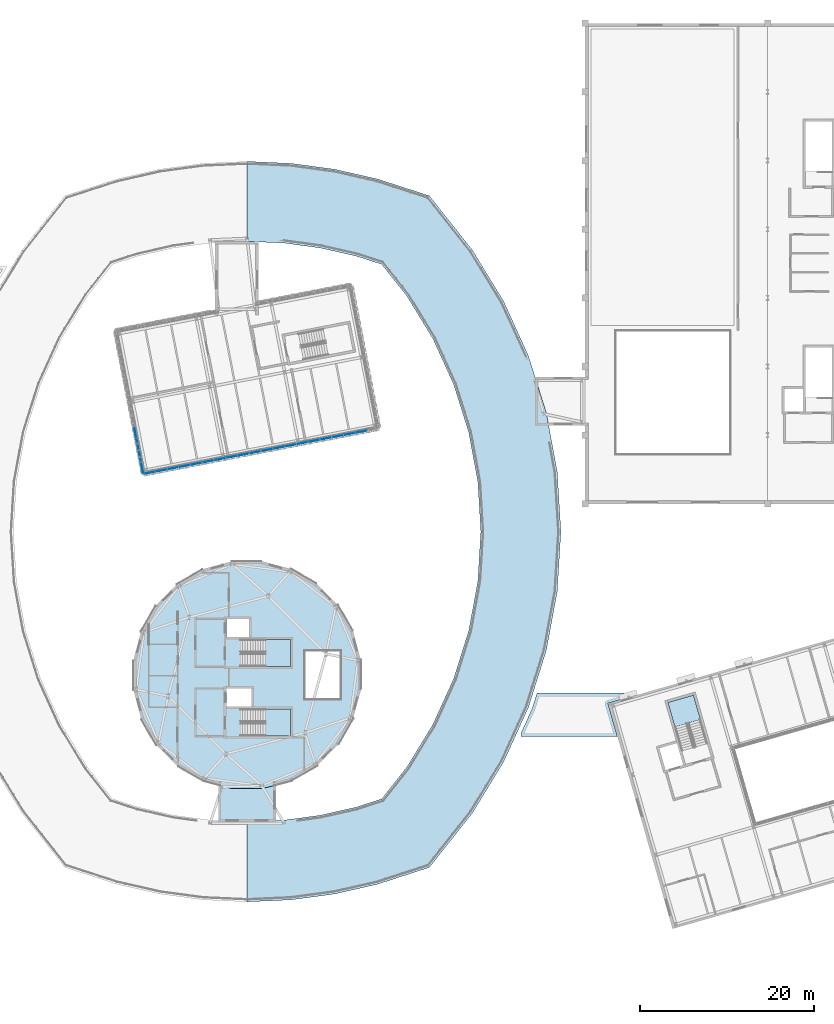
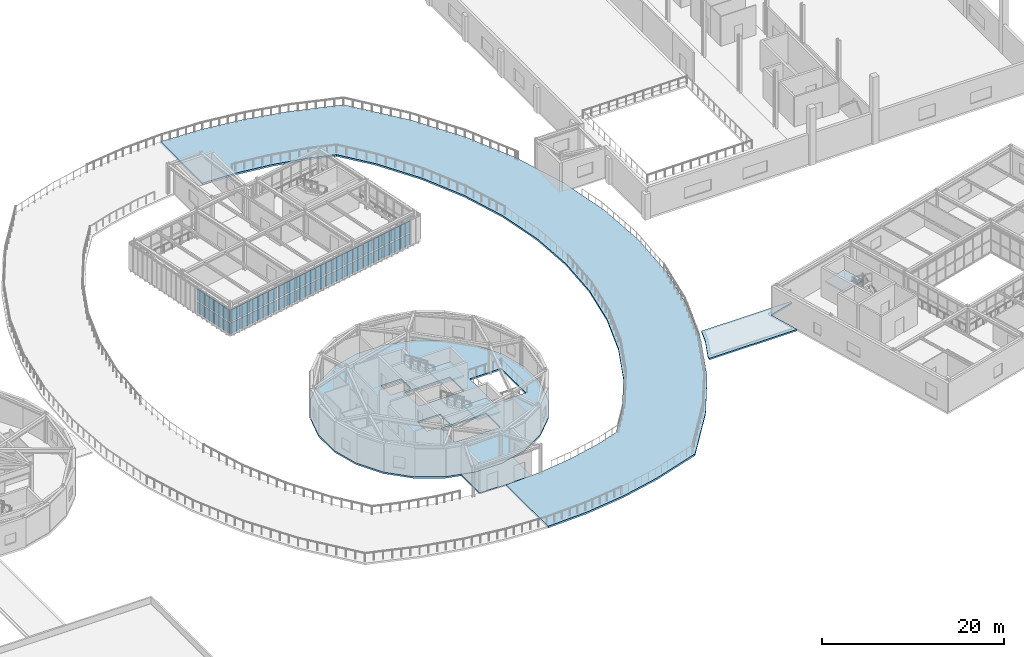
# One storey, part 27 of 59: 46 plates, 7 slabs, 8 elements without a shape of their own.
"""IFC4 building model written with IfcOpenShell, lengths in metres."""

from ifc_helpers import new_model, si_unit, direction, frame, origin, origin_2d, place, context, subcontext, project, spatial, polyline, rectangle, outline, extrude, material, layer, layer_set, type_object, element, aggregate, save


model = new_model("IFC4")

# Units and contexts
model_context = context("Model", 3, precision=1e-05, world=origin(), true_north=direction((0.0, 1.0)))
body_context = subcontext(model_context, "Body", "Model", "MODEL_VIEW")
ifc_project = project(units=[si_unit("LENGTHUNIT", "METRE"), si_unit("AREAUNIT", "SQUARE_METRE"), si_unit("VOLUMEUNIT", "CUBIC_METRE"), si_unit("PLANEANGLEUNIT", "RADIAN"), si_unit("MASSUNIT", "GRAM", prefix="KILO")], contexts=[model_context])

# Site, building, storey
site_placement = place(None, origin())
site = spatial("IfcSite", under=ifc_project, at=site_placement, CompositionType="ELEMENT")
building_placement = place(site_placement, origin())
building = spatial("IfcBuilding", under=site, at=building_placement, Name="Varnklinge Art Gallery", CompositionType="ELEMENT")
storey_placement = place(building_placement, frame((0.0, 0.0, 9.52001953125)))
storey = spatial("IfcBuildingStorey", under=building, at=storey_placement, Name="L02", CompositionType="ELEMENT", Elevation=9.52001953125)

# Curtain wall, plates
ifc_material_1 = material(Name="Anodised Aluminium", Category="aluminium")
curtain_wall_type_1 = type_object("IfcCurtainWallType", Name="CW-L03", PredefinedType="USERDEFINED", material=ifc_material_1)
curtain_wall_1_placement = place(storey_placement, origin())
curtain_wall_1 = element("IfcCurtainWall", 1, at=curtain_wall_1_placement, inside=storey, type_object=curtain_wall_type_1, Name="L02 Curtain Wall CW-V4B-L02-1-1-1", ObjectType="UNITISED CURTAIN WALL", PredefinedType="USERDEFINED")
ifc_material_2 = material(Name="Insulated Low-E Triple Glazing", Category="glass")
ifc_layer_1 = layer(ifc_material_2, 0.0439453125)
ifc_layer_set_1 = layer_set([ifc_layer_1], Name="Insulated Low-E Triple Glazing")
plate_type = type_object("IfcPlateType", Name="GLZ-44", PredefinedType="CURTAIN_PANEL", material=ifc_layer_set_1)
plate_1_placement = place(storey_placement, frame((64.251953125, 61.75634765625, 0.14794921875), z_axis=(0.0, 0.0, 1.0), x_axis=(0.981627183448, 0.190808995377, 0.0)))
plate_1 = element("IfcPlate", 2, at=plate_1_placement, type_object=plate_type, Name="CW-V4B-L02-1-1-1 Glazing Panel 1.1", PredefinedType="CURTAIN_PANEL", context=body_context, shape_type="SweptSolid", body=[
    extrude(rectangle(XDim=1.271484375, YDim=0.0439453125, at=origin_2d()), origin(), (0.0, 0.0, 1.0), 1.4638671875),
])
plate_2_placement = place(storey_placement, frame((64.251953125, 61.75634765625, 1.7578125), z_axis=(0.0, 0.0, 1.0), x_axis=(0.981627183448, 0.190808995377, 0.0)))
plate_2 = element("IfcPlate", 3, at=plate_2_placement, type_object=plate_type, Name="CW-V4B-L02-1-1-1 Glazing Panel 1.2", PredefinedType="CURTAIN_PANEL", context=body_context, shape_type="SweptSolid", body=[
    extrude(rectangle(XDim=1.271484375, YDim=0.0439453125, at=origin_2d()), origin(), (0.0, 0.0, 1.0), 1.604248046875),
])
plate_3_placement = place(storey_placement, frame((65.58837890625, 62.01611328125, 0.14794921875), z_axis=(0.0, 0.0, 1.0), x_axis=(0.981627183448, 0.190808995377, 0.0)))
plate_3 = element("IfcPlate", 4, at=plate_3_placement, type_object=plate_type, Name="CW-V4B-L02-1-1-1 Glazing Panel 2.1", PredefinedType="CURTAIN_PANEL", context=body_context, shape_type="SweptSolid", body=[
    extrude(rectangle(XDim=1.30908203125, YDim=0.0439453125, at=origin_2d()), origin(), (0.0, 0.0, 1.0), 1.4638671875),
])
plate_4_placement = place(storey_placement, frame((65.58837890625, 62.01611328125, 1.7578125), z_axis=(0.0, 0.0, 1.0), x_axis=(0.981627183448, 0.190808995377, 0.0)))
plate_4 = element("IfcPlate", 5, at=plate_4_placement, type_object=plate_type, Name="CW-V4B-L02-1-1-1 Glazing Panel 2.2", PredefinedType="CURTAIN_PANEL", context=body_context, shape_type="SweptSolid", body=[
    extrude(rectangle(XDim=1.30908203125, YDim=0.0439453125, at=origin_2d()), origin(), (0.0, 0.0, 1.0), 1.604248046875),
])
plate_5_placement = place(storey_placement, frame((66.94287109375, 62.279541015625, 0.14794921875), z_axis=(0.0, 0.0, 1.0), x_axis=(0.981627183448, 0.190808995377, 0.0)))
plate_5 = element("IfcPlate", 6, at=plate_5_placement, type_object=plate_type, Name="CW-V4B-L02-1-1-1 Glazing Panel 3.1", PredefinedType="CURTAIN_PANEL", context=body_context, shape_type="SweptSolid", body=[
    extrude(rectangle(XDim=1.30908203125, YDim=0.0439453125, at=origin_2d()), origin(), (0.0, 0.0, 1.0), 1.4638671875),
])
plate_6_placement = place(storey_placement, frame((66.94287109375, 62.279541015625, 1.7578125), z_axis=(0.0, 0.0, 1.0), x_axis=(0.981627183448, 0.190808995377, 0.0)))
plate_6 = element("IfcPlate", 7, at=plate_6_placement, type_object=plate_type, Name="CW-V4B-L02-1-1-1 Glazing Panel 3.2", PredefinedType="CURTAIN_PANEL", context=body_context, shape_type="SweptSolid", body=[
    extrude(rectangle(XDim=1.30908203125, YDim=0.0439453125, at=origin_2d()), origin(), (0.0, 0.0, 1.0), 1.604248046875),
])
plate_7_placement = place(storey_placement, frame((68.297607421875, 62.542724609375, 0.14794921875), z_axis=(0.0, 0.0, 1.0), x_axis=(0.981627183448, 0.190808995377, 0.0)))
plate_7 = element("IfcPlate", 8, at=plate_7_placement, type_object=plate_type, Name="CW-V4B-L02-1-1-1 Glazing Panel 4.1", PredefinedType="CURTAIN_PANEL", context=body_context, shape_type="SweptSolid", body=[
    extrude(rectangle(XDim=1.30908203125, YDim=0.0439453125, at=origin_2d()), origin(), (0.0, 0.0, 1.0), 1.4638671875),
])
plate_8_placement = place(storey_placement, frame((68.297607421875, 62.542724609375, 1.7578125), z_axis=(0.0, 0.0, 1.0), x_axis=(0.981627183448, 0.190808995377, 0.0)))
plate_8 = element("IfcPlate", 9, at=plate_8_placement, type_object=plate_type, Name="CW-V4B-L02-1-1-1 Glazing Panel 4.2", PredefinedType="CURTAIN_PANEL", context=body_context, shape_type="SweptSolid", body=[
    extrude(rectangle(XDim=1.30908203125, YDim=0.0439453125, at=origin_2d()), origin(), (0.0, 0.0, 1.0), 1.604248046875),
])
plate_9_placement = place(storey_placement, frame((69.6337890625, 62.802490234375, 0.14794921875), z_axis=(0.0, 0.0, 1.0), x_axis=(0.981627183448, 0.190808995377, 0.0)))
plate_9 = element("IfcPlate", 10, at=plate_9_placement, type_object=plate_type, Name="CW-V4B-L02-1-1-1 Glazing Panel 5.1", PredefinedType="CURTAIN_PANEL", context=body_context, shape_type="SweptSolid", body=[
    extrude(rectangle(XDim=1.271484375, YDim=0.0439453125, at=origin_2d()), origin(), (0.0, 0.0, 1.0), 1.4638671875),
])
plate_10_placement = place(storey_placement, frame((69.6337890625, 62.802490234375, 1.7578125), z_axis=(0.0, 0.0, 1.0), x_axis=(0.981627183448, 0.190808995377, 0.0)))
plate_10 = element("IfcPlate", 11, at=plate_10_placement, type_object=plate_type, Name="CW-V4B-L02-1-1-1 Glazing Panel 5.2", PredefinedType="CURTAIN_PANEL", context=body_context, shape_type="SweptSolid", body=[
    extrude(rectangle(XDim=1.271484375, YDim=0.0439453125, at=origin_2d()), origin(), (0.0, 0.0, 1.0), 1.604248046875),
])
aggregate(curtain_wall_1, [plate_1, plate_2, plate_3, plate_4, plate_5, plate_6, plate_7, plate_8, plate_9, plate_10])

curtain_wall_2_placement = place(storey_placement, origin())
curtain_wall_2 = element("IfcCurtainWall", 12, at=curtain_wall_2_placement, inside=storey, type_object=curtain_wall_type_1, Name="L02 Curtain Wall CW-V4B-L02-1-1-2", ObjectType="UNITISED CURTAIN WALL", PredefinedType="USERDEFINED")
plate_11_placement = place(storey_placement, frame((71.025146484375, 63.072998046875, 0.14794921875), z_axis=(0.0, 0.0, 1.0), x_axis=(0.981627183448, 0.190808995377, 0.0)))
plate_11 = element("IfcPlate", 13, at=plate_11_placement, type_object=plate_type, Name="CW-V4B-L02-1-1-2 Glazing Panel 1.1", PredefinedType="CURTAIN_PANEL", context=body_context, shape_type="SweptSolid", body=[
    extrude(rectangle(XDim=1.271484375, YDim=0.0439453125, at=origin_2d()), origin(), (0.0, 0.0, 1.0), 1.4638671875),
])
plate_12_placement = place(storey_placement, frame((71.025146484375, 63.072998046875, 1.7578125), z_axis=(0.0, 0.0, 1.0), x_axis=(0.981627183448, 0.190808995377, 0.0)))
plate_12 = element("IfcPlate", 14, at=plate_12_placement, type_object=plate_type, Name="CW-V4B-L02-1-1-2 Glazing Panel 1.2", PredefinedType="CURTAIN_PANEL", context=body_context, shape_type="SweptSolid", body=[
    extrude(rectangle(XDim=1.271484375, YDim=0.0439453125, at=origin_2d()), origin(), (0.0, 0.0, 1.0), 1.604248046875),
])
plate_13_placement = place(storey_placement, frame((72.361572265625, 63.332763671875, 0.14794921875), z_axis=(0.0, 0.0, 1.0), x_axis=(0.981627183448, 0.190808995377, 0.0)))
plate_13 = element("IfcPlate", 15, at=plate_13_placement, type_object=plate_type, Name="CW-V4B-L02-1-1-2 Glazing Panel 2.1", PredefinedType="CURTAIN_PANEL", context=body_context, shape_type="SweptSolid", body=[
    extrude(rectangle(XDim=1.30908203125, YDim=0.0439453125, at=origin_2d()), origin(), (0.0, 0.0, 1.0), 1.4638671875),
])
plate_14_placement = place(storey_placement, frame((72.361572265625, 63.332763671875, 1.7578125), z_axis=(0.0, 0.0, 1.0), x_axis=(0.981627183448, 0.190808995377, 0.0)))
plate_14 = element("IfcPlate", 16, at=plate_14_placement, type_object=plate_type, Name="CW-V4B-L02-1-1-2 Glazing Panel 2.2", PredefinedType="CURTAIN_PANEL", context=body_context, shape_type="SweptSolid", body=[
    extrude(rectangle(XDim=1.30908203125, YDim=0.0439453125, at=origin_2d()), origin(), (0.0, 0.0, 1.0), 1.604248046875),
])
plate_15_placement = place(storey_placement, frame((73.716064453125, 63.59619140625, 0.14794921875), z_axis=(0.0, 0.0, 1.0), x_axis=(0.981627183448, 0.190808995377, 0.0)))
plate_15 = element("IfcPlate", 17, at=plate_15_placement, type_object=plate_type, Name="CW-V4B-L02-1-1-2 Glazing Panel 3.1", PredefinedType="CURTAIN_PANEL", context=body_context, shape_type="SweptSolid", body=[
    extrude(rectangle(XDim=1.30908203125, YDim=0.0439453125, at=origin_2d()), origin(), (0.0, 0.0, 1.0), 1.4638671875),
])
plate_16_placement = place(storey_placement, frame((73.716064453125, 63.59619140625, 1.7578125), z_axis=(0.0, 0.0, 1.0), x_axis=(0.981627183448, 0.190808995377, 0.0)))
plate_16 = element("IfcPlate", 18, at=plate_16_placement, type_object=plate_type, Name="CW-V4B-L02-1-1-2 Glazing Panel 3.2", PredefinedType="CURTAIN_PANEL", context=body_context, shape_type="SweptSolid", body=[
    extrude(rectangle(XDim=1.30908203125, YDim=0.0439453125, at=origin_2d()), origin(), (0.0, 0.0, 1.0), 1.604248046875),
])
plate_17_placement = place(storey_placement, frame((75.07080078125, 63.859375, 0.14794921875), z_axis=(0.0, 0.0, 1.0), x_axis=(0.981627183448, 0.190808995377, 0.0)))
plate_17 = element("IfcPlate", 19, at=plate_17_placement, type_object=plate_type, Name="CW-V4B-L02-1-1-2 Glazing Panel 4.1", PredefinedType="CURTAIN_PANEL", context=body_context, shape_type="SweptSolid", body=[
    extrude(rectangle(XDim=1.30908203125, YDim=0.0439453125, at=origin_2d()), origin(), (0.0, 0.0, 1.0), 1.4638671875),
])
plate_18_placement = place(storey_placement, frame((75.07080078125, 63.859375, 1.7578125), z_axis=(0.0, 0.0, 1.0), x_axis=(0.981627183448, 0.190808995377, 0.0)))
plate_18 = element("IfcPlate", 20, at=plate_18_placement, type_object=plate_type, Name="CW-V4B-L02-1-1-2 Glazing Panel 4.2", PredefinedType="CURTAIN_PANEL", context=body_context, shape_type="SweptSolid", body=[
    extrude(rectangle(XDim=1.30908203125, YDim=0.0439453125, at=origin_2d()), origin(), (0.0, 0.0, 1.0), 1.604248046875),
])
plate_19_placement = place(storey_placement, frame((76.406982421875, 64.119140625, 0.14794921875), z_axis=(0.0, 0.0, 1.0), x_axis=(0.981627183448, 0.190808995377, 0.0)))
plate_19 = element("IfcPlate", 21, at=plate_19_placement, type_object=plate_type, Name="CW-V4B-L02-1-1-2 Glazing Panel 5.1", PredefinedType="CURTAIN_PANEL", context=body_context, shape_type="SweptSolid", body=[
    extrude(rectangle(XDim=1.271484375, YDim=0.0439453125, at=origin_2d()), origin(), (0.0, 0.0, 1.0), 1.4638671875),
])
plate_20_placement = place(storey_placement, frame((76.406982421875, 64.119140625, 1.7578125), z_axis=(0.0, 0.0, 1.0), x_axis=(0.981627183448, 0.190808995377, 0.0)))
plate_20 = element("IfcPlate", 22, at=plate_20_placement, type_object=plate_type, Name="CW-V4B-L02-1-1-2 Glazing Panel 5.2", PredefinedType="CURTAIN_PANEL", context=body_context, shape_type="SweptSolid", body=[
    extrude(rectangle(XDim=1.271484375, YDim=0.0439453125, at=origin_2d()), origin(), (0.0, 0.0, 1.0), 1.604248046875),
])
aggregate(curtain_wall_2, [plate_11, plate_12, plate_13, plate_14, plate_15, plate_16, plate_17, plate_18, plate_19, plate_20])

curtain_wall_3_placement = place(storey_placement, origin())
curtain_wall_3 = element("IfcCurtainWall", 23, at=curtain_wall_3_placement, inside=storey, type_object=curtain_wall_type_1, Name="L02 Curtain Wall CW-V4B-L02-1-1-3", ObjectType="UNITISED CURTAIN WALL", PredefinedType="USERDEFINED")
plate_21_placement = place(storey_placement, frame((77.798583984375, 64.3896484375, 0.14794921875), z_axis=(0.0, 0.0, 1.0), x_axis=(0.981627183448, 0.190808995377, 0.0)))
plate_21 = element("IfcPlate", 24, at=plate_21_placement, type_object=plate_type, Name="CW-V4B-L02-1-1-3 Glazing Panel 1.1", PredefinedType="CURTAIN_PANEL", context=body_context, shape_type="SweptSolid", body=[
    extrude(rectangle(XDim=1.271484375, YDim=0.0439453125, at=origin_2d()), origin(), (0.0, 0.0, 1.0), 1.4638671875),
])
plate_22_placement = place(storey_placement, frame((77.798583984375, 64.3896484375, 1.7578125), z_axis=(0.0, 0.0, 1.0), x_axis=(0.981627183448, 0.190808995377, 0.0)))
plate_22 = element("IfcPlate", 25, at=plate_22_placement, type_object=plate_type, Name="CW-V4B-L02-1-1-3 Glazing Panel 1.2", PredefinedType="CURTAIN_PANEL", context=body_context, shape_type="SweptSolid", body=[
    extrude(rectangle(XDim=1.271484375, YDim=0.0439453125, at=origin_2d()), origin(), (0.0, 0.0, 1.0), 1.604248046875),
])
plate_23_placement = place(storey_placement, frame((79.134765625, 64.6494140625, 0.14794921875), z_axis=(0.0, 0.0, 1.0), x_axis=(0.981627183448, 0.190808995377, 0.0)))
plate_23 = element("IfcPlate", 26, at=plate_23_placement, type_object=plate_type, Name="CW-V4B-L02-1-1-3 Glazing Panel 2.1", PredefinedType="CURTAIN_PANEL", context=body_context, shape_type="SweptSolid", body=[
    extrude(rectangle(XDim=1.30908203125, YDim=0.0439453125, at=origin_2d()), origin(), (0.0, 0.0, 1.0), 1.4638671875),
])
plate_24_placement = place(storey_placement, frame((79.134765625, 64.6494140625, 1.7578125), z_axis=(0.0, 0.0, 1.0), x_axis=(0.981627183448, 0.190808995377, 0.0)))
plate_24 = element("IfcPlate", 27, at=plate_24_placement, type_object=plate_type, Name="CW-V4B-L02-1-1-3 Glazing Panel 2.2", PredefinedType="CURTAIN_PANEL", context=body_context, shape_type="SweptSolid", body=[
    extrude(rectangle(XDim=1.30908203125, YDim=0.0439453125, at=origin_2d()), origin(), (0.0, 0.0, 1.0), 1.604248046875),
])
plate_25_placement = place(storey_placement, frame((80.489501953125, 64.91259765625, 0.14794921875), z_axis=(0.0, 0.0, 1.0), x_axis=(0.981627183448, 0.190808995377, 0.0)))
plate_25 = element("IfcPlate", 28, at=plate_25_placement, type_object=plate_type, Name="CW-V4B-L02-1-1-3 Glazing Panel 3.1", PredefinedType="CURTAIN_PANEL", context=body_context, shape_type="SweptSolid", body=[
    extrude(rectangle(XDim=1.30908203125, YDim=0.0439453125, at=origin_2d()), origin(), (0.0, 0.0, 1.0), 1.4638671875),
])
plate_26_placement = place(storey_placement, frame((80.489501953125, 64.91259765625, 1.7578125), z_axis=(0.0, 0.0, 1.0), x_axis=(0.981627183448, 0.190808995377, 0.0)))
plate_26 = element("IfcPlate", 29, at=plate_26_placement, type_object=plate_type, Name="CW-V4B-L02-1-1-3 Glazing Panel 3.2", PredefinedType="CURTAIN_PANEL", context=body_context, shape_type="SweptSolid", body=[
    extrude(rectangle(XDim=1.30908203125, YDim=0.0439453125, at=origin_2d()), origin(), (0.0, 0.0, 1.0), 1.604248046875),
])
plate_27_placement = place(storey_placement, frame((81.843994140625, 65.176025390625, 0.14794921875), z_axis=(0.0, 0.0, 1.0), x_axis=(0.981627183448, 0.190808995377, 0.0)))
plate_27 = element("IfcPlate", 30, at=plate_27_placement, type_object=plate_type, Name="CW-V4B-L02-1-1-3 Glazing Panel 4.1", PredefinedType="CURTAIN_PANEL", context=body_context, shape_type="SweptSolid", body=[
    extrude(rectangle(XDim=1.30908203125, YDim=0.0439453125, at=origin_2d()), origin(), (0.0, 0.0, 1.0), 1.4638671875),
])
plate_28_placement = place(storey_placement, frame((81.843994140625, 65.176025390625, 1.7578125), z_axis=(0.0, 0.0, 1.0), x_axis=(0.981627183448, 0.190808995377, 0.0)))
plate_28 = element("IfcPlate", 31, at=plate_28_placement, type_object=plate_type, Name="CW-V4B-L02-1-1-3 Glazing Panel 4.2", PredefinedType="CURTAIN_PANEL", context=body_context, shape_type="SweptSolid", body=[
    extrude(rectangle(XDim=1.30908203125, YDim=0.0439453125, at=origin_2d()), origin(), (0.0, 0.0, 1.0), 1.604248046875),
])
plate_29_placement = place(storey_placement, frame((83.180419921875, 65.435791015625, 0.14794921875), z_axis=(0.0, 0.0, 1.0), x_axis=(0.981627183448, 0.190808995377, 0.0)))
plate_29 = element("IfcPlate", 32, at=plate_29_placement, type_object=plate_type, Name="CW-V4B-L02-1-1-3 Glazing Panel 5.1", PredefinedType="CURTAIN_PANEL", context=body_context, shape_type="SweptSolid", body=[
    extrude(rectangle(XDim=1.271484375, YDim=0.0439453125, at=origin_2d()), origin(), (0.0, 0.0, 1.0), 1.4638671875),
])
plate_30_placement = place(storey_placement, frame((83.180419921875, 65.435791015625, 1.7578125), z_axis=(0.0, 0.0, 1.0), x_axis=(0.981627183448, 0.190808995377, 0.0)))
plate_30 = element("IfcPlate", 33, at=plate_30_placement, type_object=plate_type, Name="CW-V4B-L02-1-1-3 Glazing Panel 5.2", PredefinedType="CURTAIN_PANEL", context=body_context, shape_type="SweptSolid", body=[
    extrude(rectangle(XDim=1.271484375, YDim=0.0439453125, at=origin_2d()), origin(), (0.0, 0.0, 1.0), 1.604248046875),
])
aggregate(curtain_wall_3, [plate_21, plate_22, plate_23, plate_24, plate_25, plate_26, plate_27, plate_28, plate_29, plate_30])

curtain_wall_4_placement = place(storey_placement, origin())
curtain_wall_4 = element("IfcCurtainWall", 34, at=curtain_wall_4_placement, inside=storey, type_object=curtain_wall_type_1, Name="L02 Curtain Wall CW-V4B-L02-1-1-4", ObjectType="UNITISED CURTAIN WALL", PredefinedType="USERDEFINED")
plate_31_placement = place(storey_placement, frame((84.57177734375, 65.7060546875, 0.14794921875), z_axis=(0.0, 0.0, 1.0), x_axis=(0.981627183448, 0.190808995377, 0.0)))
plate_31 = element("IfcPlate", 35, at=plate_31_placement, type_object=plate_type, Name="CW-V4B-L02-1-1-4 Glazing Panel 1.1", PredefinedType="CURTAIN_PANEL", context=body_context, shape_type="SweptSolid", body=[
    extrude(rectangle(XDim=1.271484375, YDim=0.0439453125, at=origin_2d()), origin(), (0.0, 0.0, 1.0), 1.4638671875),
])
plate_32_placement = place(storey_placement, frame((84.57177734375, 65.7060546875, 1.7578125), z_axis=(0.0, 0.0, 1.0), x_axis=(0.981627183448, 0.190808995377, 0.0)))
plate_32 = element("IfcPlate", 36, at=plate_32_placement, type_object=plate_type, Name="CW-V4B-L02-1-1-4 Glazing Panel 1.2", PredefinedType="CURTAIN_PANEL", context=body_context, shape_type="SweptSolid", body=[
    extrude(rectangle(XDim=1.271484375, YDim=0.0439453125, at=origin_2d()), origin(), (0.0, 0.0, 1.0), 1.604248046875),
])
plate_33_placement = place(storey_placement, frame((85.907958984375, 65.9658203125, 0.14794921875), z_axis=(0.0, 0.0, 1.0), x_axis=(0.981627183448, 0.190808995377, 0.0)))
plate_33 = element("IfcPlate", 37, at=plate_33_placement, type_object=plate_type, Name="CW-V4B-L02-1-1-4 Glazing Panel 2.1", PredefinedType="CURTAIN_PANEL", context=body_context, shape_type="SweptSolid", body=[
    extrude(rectangle(XDim=1.30908203125, YDim=0.0439453125, at=origin_2d()), origin(), (0.0, 0.0, 1.0), 1.4638671875),
])
plate_34_placement = place(storey_placement, frame((85.907958984375, 65.9658203125, 1.7578125), z_axis=(0.0, 0.0, 1.0), x_axis=(0.981627183448, 0.190808995377, 0.0)))
plate_34 = element("IfcPlate", 38, at=plate_34_placement, type_object=plate_type, Name="CW-V4B-L02-1-1-4 Glazing Panel 2.2", PredefinedType="CURTAIN_PANEL", context=body_context, shape_type="SweptSolid", body=[
    extrude(rectangle(XDim=1.30908203125, YDim=0.0439453125, at=origin_2d()), origin(), (0.0, 0.0, 1.0), 1.604248046875),
])
plate_35_placement = place(storey_placement, frame((87.2626953125, 66.229248046875, 0.14794921875), z_axis=(0.0, 0.0, 1.0), x_axis=(0.981627183448, 0.190808995377, 0.0)))
plate_35 = element("IfcPlate", 39, at=plate_35_placement, type_object=plate_type, Name="CW-V4B-L02-1-1-4 Glazing Panel 3.1", PredefinedType="CURTAIN_PANEL", context=body_context, shape_type="SweptSolid", body=[
    extrude(rectangle(XDim=1.30908203125, YDim=0.0439453125, at=origin_2d()), origin(), (0.0, 0.0, 1.0), 1.4638671875),
])
plate_36_placement = place(storey_placement, frame((87.2626953125, 66.229248046875, 1.7578125), z_axis=(0.0, 0.0, 1.0), x_axis=(0.981627183448, 0.190808995377, 0.0)))
plate_36 = element("IfcPlate", 40, at=plate_36_placement, type_object=plate_type, Name="CW-V4B-L02-1-1-4 Glazing Panel 3.2", PredefinedType="CURTAIN_PANEL", context=body_context, shape_type="SweptSolid", body=[
    extrude(rectangle(XDim=1.30908203125, YDim=0.0439453125, at=origin_2d()), origin(), (0.0, 0.0, 1.0), 1.604248046875),
])
plate_37_placement = place(storey_placement, frame((88.6171875, 66.492431640625, 0.14794921875), z_axis=(0.0, 0.0, 1.0), x_axis=(0.981627183448, 0.190808995377, 0.0)))
plate_37 = element("IfcPlate", 41, at=plate_37_placement, type_object=plate_type, Name="CW-V4B-L02-1-1-4 Glazing Panel 4.1", PredefinedType="CURTAIN_PANEL", context=body_context, shape_type="SweptSolid", body=[
    extrude(rectangle(XDim=1.30908203125, YDim=0.0439453125, at=origin_2d()), origin(), (0.0, 0.0, 1.0), 1.4638671875),
])
plate_38_placement = place(storey_placement, frame((88.6171875, 66.492431640625, 1.7578125), z_axis=(0.0, 0.0, 1.0), x_axis=(0.981627183448, 0.190808995377, 0.0)))
plate_38 = element("IfcPlate", 42, at=plate_38_placement, type_object=plate_type, Name="CW-V4B-L02-1-1-4 Glazing Panel 4.2", PredefinedType="CURTAIN_PANEL", context=body_context, shape_type="SweptSolid", body=[
    extrude(rectangle(XDim=1.30908203125, YDim=0.0439453125, at=origin_2d()), origin(), (0.0, 0.0, 1.0), 1.604248046875),
])
aggregate(curtain_wall_4, [plate_31, plate_32, plate_33, plate_34, plate_35, plate_36, plate_37, plate_38])

ifc_material_3 = material(Name="Anodised Aluminium", Category="aluminium")
curtain_wall_type_2 = type_object("IfcCurtainWallType", Name="CW-L07", PredefinedType="USERDEFINED", material=ifc_material_3)
curtain_wall_5_placement = place(storey_placement, origin())
curtain_wall_5 = element("IfcCurtainWall", 43, at=curtain_wall_5_placement, inside=storey, type_object=curtain_wall_type_2, Name="L02 Curtain Wall CW-V4B-L02-4-1-3", ObjectType="UNITISED CURTAIN WALL", PredefinedType="USERDEFINED")
plate_39_placement = place(storey_placement, frame((62.625, 66.412841796875, 0.14794921875), z_axis=(0.0, 0.0, 1.0), x_axis=(0.190808995377, -0.981627183448, 0.0)))
plate_39 = element("IfcPlate", 44, at=plate_39_placement, type_object=plate_type, Name="CW-V4B-L02-4-1-3 Glazing Panel 1.1", PredefinedType="CURTAIN_PANEL", context=body_context, shape_type="SweptSolid", body=[
    extrude(rectangle(XDim=1.29150390625, YDim=0.0439453125, at=origin_2d()), origin(), (0.0, 0.0, 1.0), 1.4638671875),
])
plate_40_placement = place(storey_placement, frame((62.625, 66.412841796875, 1.7578125), z_axis=(0.0, 0.0, 1.0), x_axis=(0.190808995377, -0.981627183448, 0.0)))
plate_40 = element("IfcPlate", 45, at=plate_40_placement, type_object=plate_type, Name="CW-V4B-L02-4-1-3 Glazing Panel 1.2", PredefinedType="CURTAIN_PANEL", context=body_context, shape_type="SweptSolid", body=[
    extrude(rectangle(XDim=1.29150390625, YDim=0.0439453125, at=origin_2d()), origin(), (0.0, 0.0, 1.0), 1.604248046875),
])
plate_41_placement = place(storey_placement, frame((62.888427734375, 65.056884765625, 0.14794921875), z_axis=(0.0, 0.0, 1.0), x_axis=(0.190808995377, -0.981627183448, 0.0)))
plate_41 = element("IfcPlate", 46, at=plate_41_placement, type_object=plate_type, Name="CW-V4B-L02-4-1-3 Glazing Panel 2.1", PredefinedType="CURTAIN_PANEL", context=body_context, shape_type="SweptSolid", body=[
    extrude(rectangle(XDim=1.3291015625, YDim=0.0439453125, at=origin_2d()), origin(), (0.0, 0.0, 1.0), 1.4638671875),
])
plate_42_placement = place(storey_placement, frame((62.888427734375, 65.056884765625, 1.7578125), z_axis=(0.0, 0.0, 1.0), x_axis=(0.190808995377, -0.981627183448, 0.0)))
plate_42 = element("IfcPlate", 47, at=plate_42_placement, type_object=plate_type, Name="CW-V4B-L02-4-1-3 Glazing Panel 2.2", PredefinedType="CURTAIN_PANEL", context=body_context, shape_type="SweptSolid", body=[
    extrude(rectangle(XDim=1.3291015625, YDim=0.0439453125, at=origin_2d()), origin(), (0.0, 0.0, 1.0), 1.604248046875),
])
plate_43_placement = place(storey_placement, frame((63.155517578125, 63.6826171875, 0.14794921875), z_axis=(0.0, 0.0, 1.0), x_axis=(0.190808995377, -0.981627183448, 0.0)))
plate_43 = element("IfcPlate", 48, at=plate_43_placement, type_object=plate_type, Name="CW-V4B-L02-4-1-3 Glazing Panel 3.1", PredefinedType="CURTAIN_PANEL", context=body_context, shape_type="SweptSolid", body=[
    extrude(rectangle(XDim=1.3291015625, YDim=0.0439453125, at=origin_2d()), origin(), (0.0, 0.0, 1.0), 1.4638671875),
])
plate_44_placement = place(storey_placement, frame((63.155517578125, 63.6826171875, 1.7578125), z_axis=(0.0, 0.0, 1.0), x_axis=(0.190808995377, -0.981627183448, 0.0)))
plate_44 = element("IfcPlate", 49, at=plate_44_placement, type_object=plate_type, Name="CW-V4B-L02-4-1-3 Glazing Panel 3.2", PredefinedType="CURTAIN_PANEL", context=body_context, shape_type="SweptSolid", body=[
    extrude(rectangle(XDim=1.3291015625, YDim=0.0439453125, at=origin_2d()), origin(), (0.0, 0.0, 1.0), 1.604248046875),
])
plate_45_placement = place(storey_placement, frame((63.419189453125, 62.32666015625, 0.14794921875), z_axis=(0.0, 0.0, 1.0), x_axis=(0.190808995377, -0.981627183448, 0.0)))
plate_45 = element("IfcPlate", 50, at=plate_45_placement, type_object=plate_type, Name="CW-V4B-L02-4-1-3 Glazing Panel 4.1", PredefinedType="CURTAIN_PANEL", context=body_context, shape_type="SweptSolid", body=[
    extrude(rectangle(XDim=1.29150390625, YDim=0.0439453125, at=origin_2d()), origin(), (0.0, 0.0, 1.0), 1.4638671875),
])
plate_46_placement = place(storey_placement, frame((63.419189453125, 62.32666015625, 1.7578125), z_axis=(0.0, 0.0, 1.0), x_axis=(0.190808995377, -0.981627183448, 0.0)))
plate_46 = element("IfcPlate", 51, at=plate_46_placement, type_object=plate_type, Name="CW-V4B-L02-4-1-3 Glazing Panel 4.2", PredefinedType="CURTAIN_PANEL", context=body_context, shape_type="SweptSolid", body=[
    extrude(rectangle(XDim=1.29150390625, YDim=0.0439453125, at=origin_2d()), origin(), (0.0, 0.0, 1.0), 1.604248046875),
])
aggregate(curtain_wall_5, [plate_39, plate_40, plate_41, plate_42, plate_43, plate_44, plate_45, plate_46])

# Slabs
ifc_material_4 = material(Name="Concrete C40/50", Category="concrete")
ifc_layer_2 = layer(ifc_material_4, 0.239990234375)
ifc_layer_set_2 = layer_set([ifc_layer_2], Name="Concrete C40/50")
slab_type_1 = type_object("IfcSlabType", Name="SLB-EXT24", PredefinedType="FLOOR", material=ifc_layer_set_2)
slab_1_placement = place(storey_placement, frame((0.0, 0.0, -0.239990234375)))
element("IfcSlab", 52, at=slab_1_placement, inside=storey, type_object=slab_type_1, Name="L02 Roof Sculpture Garden East Terrace", PredefinedType="FLOOR", context=body_context, shape_type="SweptSolid", body=[
    extrude(outline(polyline([(80.5615234375, 12.6220703125), (85.58251953125, 13.300537109375), (90.522705078125, 14.42529296875), (96.470703125, 16.352783203125), (101.43701171875, 22.625), (105.025390625, 28.505126953125), (107.873291015625, 34.77783203125), (109.93798828125, 41.349853515625), (111.189453125, 48.1240234375), (111.6083984375, 55.0), (111.189453125, 61.8759765625), (109.93798828125, 68.650146484375), (107.873291015625, 75.22216796875), (105.025390625, 81.494873046875), (101.43701171875, 87.375), (96.470703125, 93.647216796875), (90.522705078125, 95.57470703125), (85.58251953125, 96.699462890625), (80.5615234375, 97.3779296875), (75.5, 97.6044921875), (75.5, 88.3955078125), (79.738037109375, 88.20556640625), (83.942138671875, 87.637451171875), (88.07861328125, 86.69580078125), (90.986083984375, 85.753662109375), (93.8759765625, 82.103515625), (96.88037109375, 77.180908203125), (99.264404296875, 71.9296875), (100.9931640625, 66.427490234375), (102.04052734375, 60.75634765625), (102.3916015625, 55.0), (102.04052734375, 49.24365234375), (100.9931640625, 43.572509765625), (99.264404296875, 38.0703125), (96.88037109375, 32.819091796875), (93.8759765625, 27.896484375), (90.986083984375, 24.246337890625), (88.07861328125, 23.30419921875), (83.942138671875, 22.362548828125), (79.738037109375, 21.79443359375), (75.5, 21.6044921875), (75.5, 12.3955078125), (80.5615234375, 12.6220703125)])), origin(), (0.0, 0.0, 1.0), 0.239990234375),
])
ifc_material_5 = material(Name="Concrete C35/45", Category="concrete")
ifc_layer_3 = layer(ifc_material_5, 0.179931640625)
ifc_layer_set_3 = layer_set([ifc_layer_3], Name="Concrete C35/45")
slab_type_2 = type_object("IfcSlabType", Name="SLB-F18", PredefinedType="FLOOR", material=ifc_layer_set_3)
slab_2_placement = place(storey_placement, frame((0.0, 0.0, -0.179931640625)))
element("IfcSlab", 53, at=slab_2_placement, inside=storey, type_object=slab_type_2, Name="L02 LNK-V4S Gallery Link Slab", PredefinedType="FLOOR", context=body_context, shape_type="SweptSolid", body=[
    extrude(outline(polyline([(78.800048828125, 25.83544921875), (77.222900390625, 25.412841796875), (73.777099609375, 25.412841796875), (72.199951171875, 25.83544921875), (72.199951171875, 21.75244140625), (75.5, 21.6044921875), (78.800048828125, 21.75244140625), (78.800048828125, 25.83544921875)])), origin(), (0.0, 0.0, 1.0), 0.179931640625),
])
ifc_material_6 = material(Name="Concrete C35/45", Category="concrete")
ifc_layer_4 = layer(ifc_material_6, 0.219970703125)
ifc_layer_set_4 = layer_set([ifc_layer_4], Name="Concrete C35/45")
slab_type_3 = type_object("IfcSlabType", Name="SLB-F22", PredefinedType="FLOOR", material=ifc_layer_set_4)
slab_3_placement = place(storey_placement, frame((0.0, 0.0, -0.219970703125)))
element("IfcSlab", 54, at=slab_3_placement, inside=storey, type_object=slab_type_3, Name="L02 Pavilion Drum Floor Slab", PredefinedType="FLOOR", context=body_context, shape_type="SweptSolid", body=[
    extrude(outline(polyline([(83.53564453125, 28.027587890625), (85.972412109375, 30.46435546875), (87.6953125, 33.448486328125), (88.587158203125, 36.777099609375), (88.587158203125, 40.222900390625), (87.6953125, 43.551513671875), (85.972412109375, 46.53564453125), (83.53564453125, 48.972412109375), (80.551513671875, 50.6953125), (77.222900390625, 51.587158203125), (73.777099609375, 51.587158203125), (70.448486328125, 50.6953125), (67.46435546875, 48.972412109375), (65.027587890625, 46.53564453125), (63.3046875, 43.551513671875), (62.412841796875, 40.222900390625), (62.412841796875, 36.777099609375), (63.3046875, 33.448486328125), (65.027587890625, 30.46435546875), (67.46435546875, 28.027587890625), (70.448486328125, 26.3046875), (73.777099609375, 25.412841796875), (77.222900390625, 25.412841796875), (80.551513671875, 26.3046875), (83.53564453125, 28.027587890625)]), holes=[polyline([(80.5, 31.5), (74.72509765625, 31.5), (74.72509765625, 34.56005859375), (80.5, 34.56005859375), (80.5, 31.5)]), polyline([(73.10009765625, 34.860107421875), (73.10009765625, 36.9599609375), (76.0, 36.9599609375), (76.0, 34.860107421875), (73.10009765625, 34.860107421875)]), polyline([(82.199951171875, 41.199951171875), (86.199951171875, 41.199951171875), (86.199951171875, 35.800048828125), (82.199951171875, 35.800048828125), (82.199951171875, 41.199951171875)]), polyline([(80.5, 39.5), (74.72509765625, 39.5), (74.72509765625, 42.56005859375), (80.5, 42.56005859375), (80.5, 39.5)]), polyline([(73.10009765625, 42.860107421875), (73.10009765625, 44.9599609375), (75.699951171875, 44.9599609375), (75.699951171875, 42.860107421875), (73.10009765625, 42.860107421875)])]), origin(), (0.0, 0.0, 1.0), 0.219970703125),
])

# Stair, slab
ifc_material_7 = material(Name="Concrete C40/50", Category="concrete")
stair_type = type_object("IfcStairType", Name="STR-C4160", PredefinedType="HALF_TURN_STAIR", material=ifc_material_7)
stair_1_placement = place(storey_placement, origin())
stair_1 = element("IfcStair", 55, at=stair_1_placement, inside=storey, type_object=stair_type, Name="L02 Core C1 Stair ST-01", PredefinedType="HALF_TURN_STAIR")
ifc_material_8 = material(Name="Concrete C40/50", Category="concrete")
ifc_layer_5 = layer(ifc_material_8, 0.199951171875)
ifc_layer_set_5 = layer_set([ifc_layer_5], Name="Concrete C40/50")
slab_type_4 = type_object("IfcSlabType", Name="SLB-LND20", PredefinedType="LANDING", material=ifc_layer_set_5)
slab_4_placement = place(storey_placement, frame((0.0, 0.0, 1.8798828125)))
slab_4 = element("IfcSlab", 56, at=slab_4_placement, type_object=slab_type_4, Name="ST-01 landing 1", PredefinedType="LANDING", context=body_context, shape_type="SweptSolid", body=[
    extrude(outline(polyline([(77.570068359375, 31.5), (80.5, 31.5), (80.5, 34.56005859375), (77.570068359375, 34.56005859375), (77.570068359375, 31.5)])), origin(), (0.0, 0.0, 1.0), 0.2001953125),
])
aggregate(stair_1, [slab_4])

stair_2_placement = place(storey_placement, origin())
stair_2 = element("IfcStair", 57, at=stair_2_placement, inside=storey, type_object=stair_type, Name="L02 Core C2 Stair ST-02", PredefinedType="HALF_TURN_STAIR")
slab_5_placement = place(storey_placement, frame((0.0, 0.0, 1.8798828125)))
slab_5 = element("IfcSlab", 58, at=slab_5_placement, type_object=slab_type_4, Name="ST-02 landing 1", PredefinedType="LANDING", context=body_context, shape_type="SweptSolid", body=[
    extrude(outline(polyline([(77.570068359375, 39.5), (80.5, 39.5), (80.5, 42.56005859375), (77.570068359375, 42.56005859375), (77.570068359375, 39.5)])), origin(), (0.0, 0.0, 1.0), 0.2001953125),
])
aggregate(stair_2, [slab_5])

stair_3_placement = place(storey_placement, origin())
stair_3 = element("IfcStair", 59, at=stair_3_placement, inside=storey, type_object=stair_type, Name="L02 Core C5 Stair ST-05", PredefinedType="HALF_TURN_STAIR")
slab_6_placement = place(storey_placement, frame((0.0, 0.0, 1.8798828125)))
slab_6 = element("IfcSlab", 60, at=slab_6_placement, type_object=slab_type_4, Name="ST-05 landing 1", PredefinedType="LANDING", context=body_context, shape_type="SweptSolid", body=[
    extrude(outline(polyline([(127.67138671875, 33.366943359375), (126.86376953125, 36.18359375), (123.92236328125, 35.340087890625), (124.72998046875, 32.523681640625), (127.67138671875, 33.366943359375)])), origin(), (0.0, 0.0, 1.0), 0.2001953125),
])
aggregate(stair_3, [slab_6])

# Slab
ifc_material_9 = material(Name="Concrete C35/45", Category="concrete")
ifc_layer_6 = layer(ifc_material_9, 0.199951171875)
ifc_layer_set_6 = layer_set([ifc_layer_6], Name="Concrete C35/45")
slab_type_5 = type_object("IfcSlabType", Name="SLB-ROOF20", PredefinedType="ROOF", material=ifc_layer_set_6)
slab_7_placement = place(storey_placement, frame((0.0, 0.0, -0.199951171875)))
element("IfcSlab", 61, at=slab_7_placement, inside=storey, type_object=slab_type_5, Name="L02 LNK-V6 Link Roof Slab", PredefinedType="ROOF", context=body_context, shape_type="SweptSolid", body=[
    extrude(outline(polyline([(118.115966796875, 31.39990234375), (117.014892578125, 35.239990234375), (120.199951171875, 36.1533203125), (120.199951171875, 36.39990234375), (108.854736328125, 36.39990234375), (108.302734375, 34.642822265625), (108.283203125, 34.591796875), (107.0, 31.765625), (107.0, 31.39990234375), (118.115966796875, 31.39990234375)])), origin(), (0.0, 0.0, 1.0), 0.199951171875),
])

save(model, "model.ifc")
